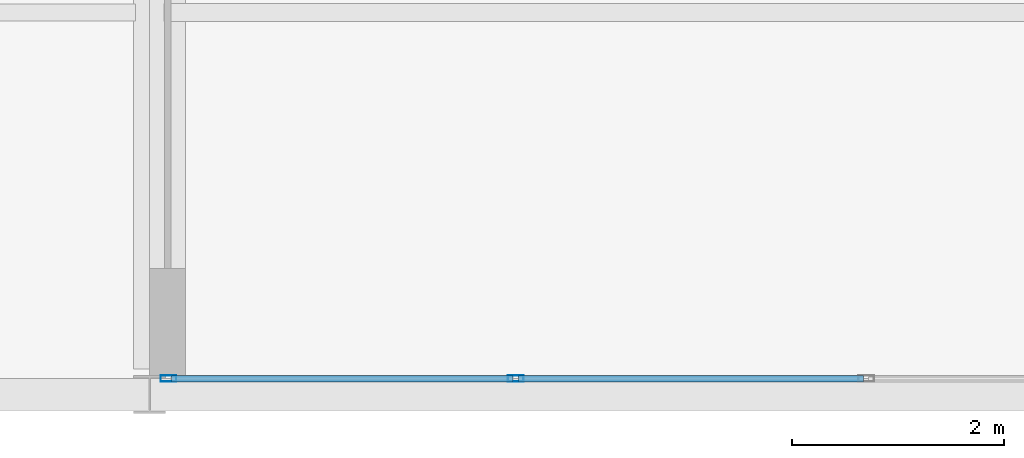
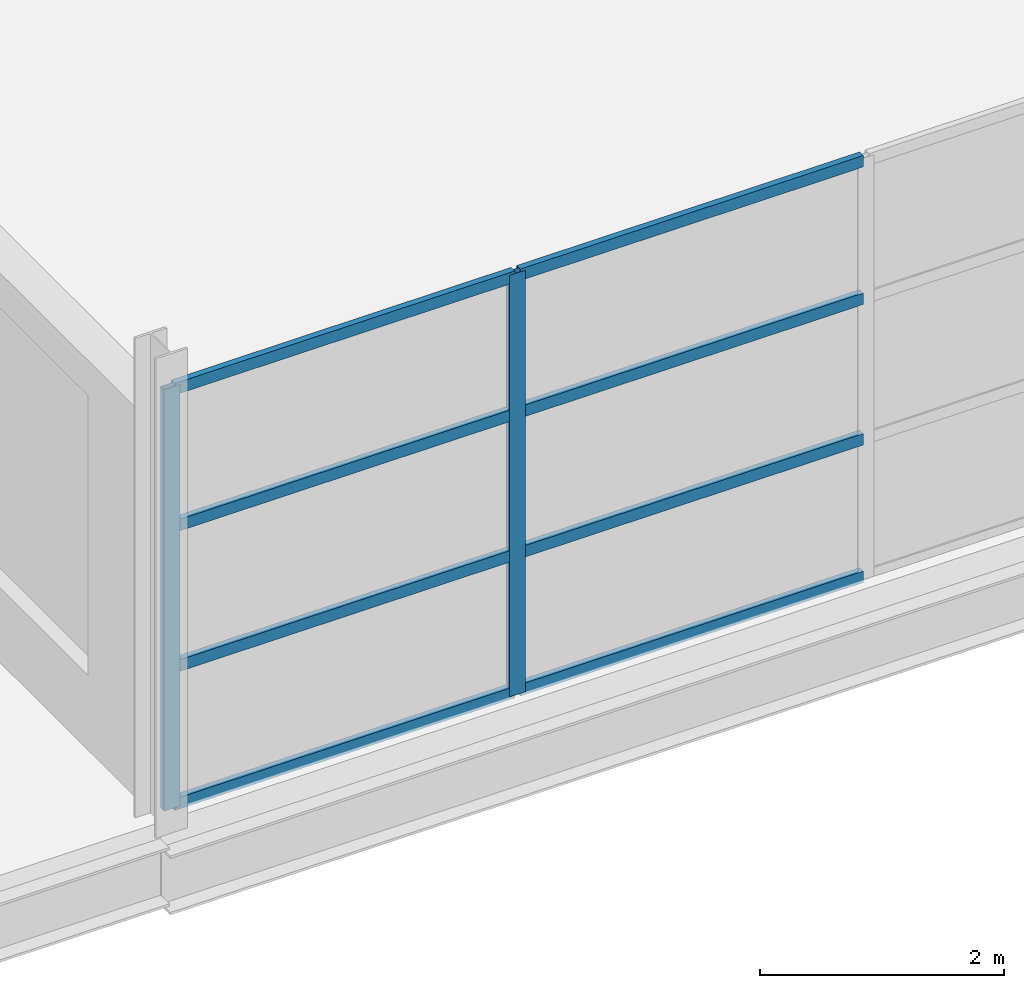
# One storey, part 78 of 134: 10 members, 1 element without a shape of its own.
"""IFC4 building model written with IfcOpenShell, lengths in metres."""

from ifc_helpers import new_model, si_unit, direction, frame, origin, origin_2d, place, context, subcontext, project, spatial, hollow_rectangle, extrude, material, layer, layer_set, material_profile, profile_set, type_object, element, aggregate, save


model = new_model("IFC4")

# Units and contexts
model_context = context("Model", 3, precision=1e-05, world=origin(), true_north=direction((0.0, 1.0)))
body_context = subcontext(model_context, "Body", "Model", "MODEL_VIEW")
ifc_project = project(units=[si_unit("LENGTHUNIT", "METRE"), si_unit("AREAUNIT", "SQUARE_METRE"), si_unit("VOLUMEUNIT", "CUBIC_METRE"), si_unit("PLANEANGLEUNIT", "RADIAN"), si_unit("MASSUNIT", "GRAM", prefix="KILO")], contexts=[model_context])

# Site, building, storey
site_placement = place(None, origin())
site = spatial("IfcSite", under=ifc_project, at=site_placement, CompositionType="ELEMENT")
building_placement = place(site_placement, origin())
building = spatial("IfcBuilding", under=site, at=building_placement, Name="Tamarisk Ironworks Central Station", CompositionType="ELEMENT")
storey_placement = place(building_placement, frame((0.0, 0.0, 12.60009765625)))
storey = spatial("IfcBuildingStorey", under=building, at=storey_placement, Name="L02", CompositionType="ELEMENT", Elevation=12.60009765625)

# Curtain wall, members
ifc_material = material(Name="Anodized aluminium alloy 6063-T6", Category="aluminium")
ifc_layer = layer(ifc_material, 0.179931640625)
ifc_layer_set = layer_set([ifc_layer], Name="Anodized aluminium alloy 6063-T6")
curtain_wall_type = type_object("IfcCurtainWallType", Name="CW-17", PredefinedType="USERDEFINED", material=ifc_layer_set)
curtain_wall_placement = place(storey_placement, origin())
curtain_wall = element("IfcCurtainWall", 1, at=curtain_wall_placement, inside=storey, type_object=curtain_wall_type, Name="South-east annex L02 curtain wall 153", ObjectType="GLAZED CURTAIN WALL", PredefinedType="USERDEFINED")
ifc_material_profile_1 = material_profile(ifc_material, hollow_rectangle(XDim=0.06005859375, YDim=0.14990234375, WallThickness=0.00341796875, at=origin_2d()), Name="ALUM 150x60")
ifc_profile_set_1 = profile_set([ifc_material_profile_1], Name="Anodized aluminium alloy 6063-T6")
member_type_1 = type_object("IfcMemberType", Name="CWM-03", PredefinedType="MULLION", material=ifc_profile_set_1)
member_1_placement = place(storey_placement, frame((153.177978515625, 0.14990234375, 0.0), z_axis=(0.0, 0.0, 1.0), x_axis=(0.0, 1.0, 0.0)))
member_1 = element("IfcMember", 2, at=member_1_placement, type_object=member_type_1, Name="CW17 mullion 1", PredefinedType="MULLION", context=body_context, shape_type="SweptSolid", body=[
    extrude(hollow_rectangle(XDim=0.06005859375, YDim=0.14990234375, WallThickness=0.00341796875, at=origin_2d()), origin(), (0.0, 0.0, 1.0), 4.219970703125),
])
member_2_placement = place(storey_placement, frame((156.448974609375, 0.14990234375, 0.0), z_axis=(0.0, 0.0, 1.0), x_axis=(0.0, 1.0, 0.0)))
member_2 = element("IfcMember", 3, at=member_2_placement, type_object=member_type_1, Name="CW17 mullion 2", PredefinedType="MULLION", context=body_context, shape_type="SweptSolid", body=[
    extrude(hollow_rectangle(XDim=0.06005859375, YDim=0.14990234375, WallThickness=0.00341796875, at=origin_2d()), origin(), (0.0, 0.0, 1.0), 4.219970703125),
])
ifc_material_profile_2 = material_profile(ifc_material, hollow_rectangle(XDim=0.06005859375, YDim=0.114990234375, WallThickness=0.00341796875, at=origin_2d()), Name="ALUM 115x60")
ifc_profile_set_2 = profile_set([ifc_material_profile_2], Name="Anodized aluminium alloy 6063-T6")
member_type_2 = type_object("IfcMemberType", Name="CWT-03", PredefinedType="USERDEFINED", material=ifc_profile_set_2)
member_3_placement = place(storey_placement, frame((153.2041015625, 0.14990234375, 0.02978515625), z_axis=(1.0, 0.0, 0.0), x_axis=(0.0, 1.0, 0.0)))
member_3 = element("IfcMember", 4, at=member_3_placement, type_object=member_type_2, Name="CW17 transom 1.1", ObjectType="TRANSOM", PredefinedType="USERDEFINED", context=body_context, shape_type="SweptSolid", body=[
    extrude(hollow_rectangle(XDim=0.06005859375, YDim=0.114990234375, WallThickness=0.00341796875, at=origin_2d()), origin(), (0.0, 0.0, 1.0), 3.218994140625),
])
member_4_placement = place(storey_placement, frame((153.2041015625, 0.14990234375, 1.406494140625), z_axis=(1.0, 0.0, 0.0), x_axis=(0.0, 1.0, 0.0)))
member_4 = element("IfcMember", 5, at=member_4_placement, type_object=member_type_2, Name="CW17 transom 1.2", ObjectType="TRANSOM", PredefinedType="USERDEFINED", context=body_context, shape_type="SweptSolid", body=[
    extrude(hollow_rectangle(XDim=0.06005859375, YDim=0.114990234375, WallThickness=0.00341796875, at=origin_2d()), origin(), (0.0, 0.0, 1.0), 3.218994140625),
])
member_5_placement = place(storey_placement, frame((153.2041015625, 0.14990234375, 2.813232421875), z_axis=(1.0, 0.0, 0.0), x_axis=(0.0, 1.0, 0.0)))
member_5 = element("IfcMember", 6, at=member_5_placement, type_object=member_type_2, Name="CW17 transom 1.3", ObjectType="TRANSOM", PredefinedType="USERDEFINED", context=body_context, shape_type="SweptSolid", body=[
    extrude(hollow_rectangle(XDim=0.06005859375, YDim=0.114990234375, WallThickness=0.00341796875, at=origin_2d()), origin(), (0.0, 0.0, 1.0), 3.218994140625),
])
member_6_placement = place(storey_placement, frame((153.2041015625, 0.14990234375, 4.18994140625), z_axis=(1.0, 0.0, 0.0), x_axis=(0.0, 1.0, 0.0)))
member_6 = element("IfcMember", 7, at=member_6_placement, type_object=member_type_2, Name="CW17 transom 1.4", ObjectType="TRANSOM", PredefinedType="USERDEFINED", context=body_context, shape_type="SweptSolid", body=[
    extrude(hollow_rectangle(XDim=0.06005859375, YDim=0.114990234375, WallThickness=0.00341796875, at=origin_2d()), origin(), (0.0, 0.0, 1.0), 3.218994140625),
])
member_7_placement = place(storey_placement, frame((156.47509765625, 0.14990234375, 0.02978515625), z_axis=(1.0, 0.0, 0.0), x_axis=(0.0, 1.0, 0.0)))
member_7 = element("IfcMember", 8, at=member_7_placement, type_object=member_type_2, Name="CW17 transom 2.1", ObjectType="TRANSOM", PredefinedType="USERDEFINED", context=body_context, shape_type="SweptSolid", body=[
    extrude(hollow_rectangle(XDim=0.06005859375, YDim=0.114990234375, WallThickness=0.00341796875, at=origin_2d()), origin(), (0.0, 0.0, 1.0), 3.2490234375),
])
member_8_placement = place(storey_placement, frame((156.47509765625, 0.14990234375, 1.406494140625), z_axis=(1.0, 0.0, 0.0), x_axis=(0.0, 1.0, 0.0)))
member_8 = element("IfcMember", 9, at=member_8_placement, type_object=member_type_2, Name="CW17 transom 2.2", ObjectType="TRANSOM", PredefinedType="USERDEFINED", context=body_context, shape_type="SweptSolid", body=[
    extrude(hollow_rectangle(XDim=0.06005859375, YDim=0.114990234375, WallThickness=0.00341796875, at=origin_2d()), origin(), (0.0, 0.0, 1.0), 3.2490234375),
])
member_9_placement = place(storey_placement, frame((156.47509765625, 0.14990234375, 2.813232421875), z_axis=(1.0, 0.0, 0.0), x_axis=(0.0, 1.0, 0.0)))
member_9 = element("IfcMember", 10, at=member_9_placement, type_object=member_type_2, Name="CW17 transom 2.3", ObjectType="TRANSOM", PredefinedType="USERDEFINED", context=body_context, shape_type="SweptSolid", body=[
    extrude(hollow_rectangle(XDim=0.06005859375, YDim=0.114990234375, WallThickness=0.00341796875, at=origin_2d()), origin(), (0.0, 0.0, 1.0), 3.2490234375),
])
member_10_placement = place(storey_placement, frame((156.47509765625, 0.14990234375, 4.18994140625), z_axis=(1.0, 0.0, 0.0), x_axis=(0.0, 1.0, 0.0)))
member_10 = element("IfcMember", 11, at=member_10_placement, type_object=member_type_2, Name="CW17 transom 2.4", ObjectType="TRANSOM", PredefinedType="USERDEFINED", context=body_context, shape_type="SweptSolid", body=[
    extrude(hollow_rectangle(XDim=0.06005859375, YDim=0.114990234375, WallThickness=0.00341796875, at=origin_2d()), origin(), (0.0, 0.0, 1.0), 3.2490234375),
])
aggregate(curtain_wall, [member_1, member_2, member_3, member_4, member_5, member_6, member_7, member_8, member_9, member_10])

save(model, "model.ifc")
